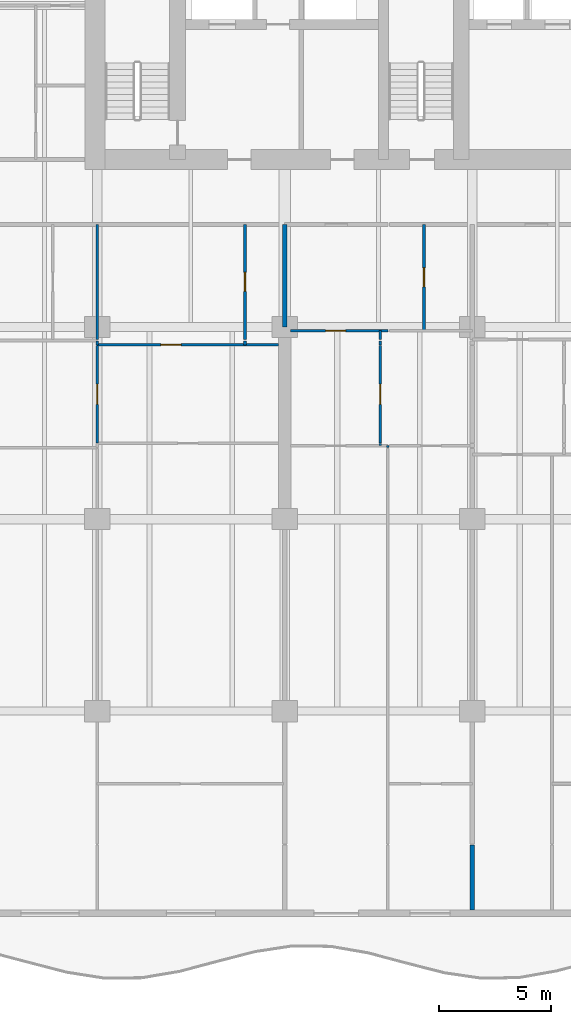
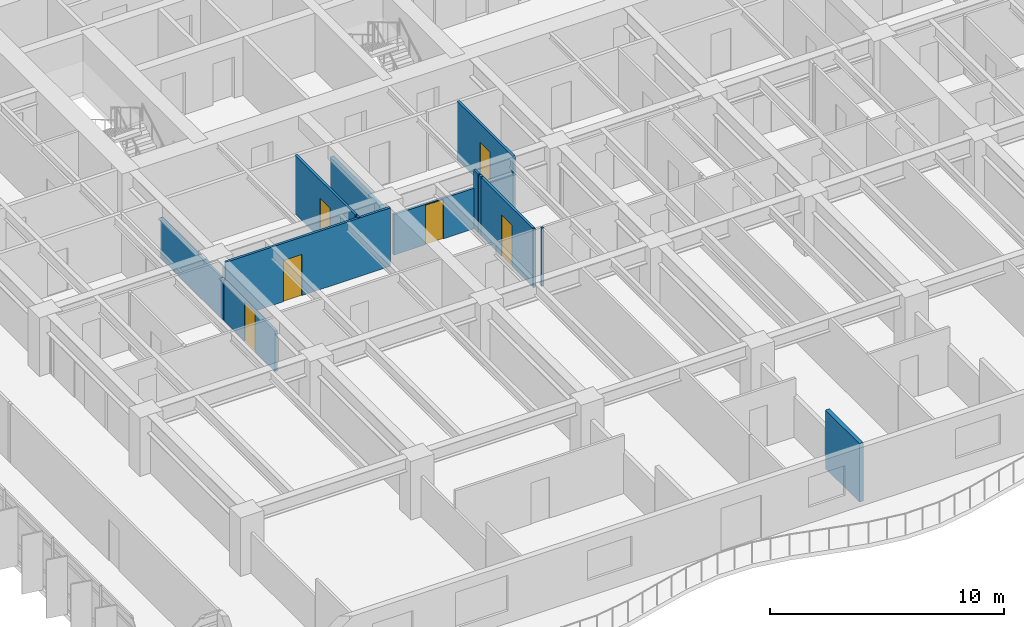
# One storey, part 7 of 18: 15 walls, 6 doors, 6 openings.
"""IFC4 building model written with IfcOpenShell, lengths in metres."""

import ifcopenshell
import ifcopenshell.guid

model = None  # the IFC model being written
_history = None  # IfcOwnerHistory: only IFC2X3 demands one
_inside = {}  # id of a spatial element -> (the spatial element, [elements in it])
_under = {}  # id of a project, library or spatial element -> (it, [spatial elements below it])
_declared = {}  # id of a project -> (the project, [libraries it declares])
_typed = {}  # id of a type object -> (the type object, [elements of that type])
_made_of = {}  # id of a material, layer set ... -> (it, [elements and type objects made of it])


def new_model(schema):
    """Start an empty IFC model of exactly this schema.

    Asked for "IFC4X3", IfcOpenShell would pick the latest addendum, in which some entities
    have other attributes; the version numbers below select the first issue.
    IFC2X3 requires an IfcOwnerHistory on every rooted entity: one is made here for all.
    """
    global model, _history
    if schema == "IFC4X3":
        model = ifcopenshell.file(schema_version=(4, 3, 0, 0))
    else:
        model = ifcopenshell.file(schema=schema)
    _inside.clear()
    _under.clear()
    _declared.clear()
    _typed.clear()
    _made_of.clear()
    _history = None
    if model.schema == "IFC2X3":
        org = make("IfcOrganization", Name="unknown")
        user = make(
            "IfcPersonAndOrganization",
            ThePerson=make("IfcPerson", FamilyName="unknown"),
            TheOrganization=org,
        )
        app = make(
            "IfcApplication",
            ApplicationDeveloper=org,
            Version="unknown",
            ApplicationFullName="unknown",
            ApplicationIdentifier="unknown",
        )
        _history = make(
            "IfcOwnerHistory",
            OwningUser=user,
            OwningApplication=app,
            ChangeAction="ADDED",
            CreationDate=0,
        )
    return model


def make(cls, **values):
    """One entity of the class cls with the attributes given. An attribute that is None is left unset."""
    return model.create_entity(
        cls, **{name: value for name, value in values.items() if value is not None}
    )


def rooted(cls, **values):
    """An entity with a GlobalId (a new one), such as an element, a storey or a relation."""
    return make(cls, GlobalId=ifcopenshell.guid.new(), OwnerHistory=_history, **values)


def si_unit(unit_type, name, prefix=None):
    """IfcSIUnit, for example si_unit("LENGTHUNIT", "METRE", prefix="MILLI")."""
    return make("IfcSIUnit", UnitType=unit_type, Prefix=prefix, Name=name)


def assignment(units):
    """IfcUnitAssignment: the units of a project."""
    return None if units is None else make("IfcUnitAssignment", Units=units)


def point(xyz):
    """IfcCartesianPoint."""
    return None if xyz is None else make("IfcCartesianPoint", Coordinates=xyz)


def direction(xyz):
    """IfcDirection."""
    return None if xyz is None else make("IfcDirection", DirectionRatios=xyz)


def frame(location, z_axis=None, x_axis=None):
    """IfcAxis2Placement3D, a coordinate frame: its origin and axes. An axis left out is left unset."""
    return make(
        "IfcAxis2Placement3D",
        Location=point(location),
        Axis=direction(z_axis),
        RefDirection=direction(x_axis),
    )


def frame_2d(location, x_axis=None):
    """IfcAxis2Placement2D, a coordinate frame in the plane: its origin and x axis."""
    return make(
        "IfcAxis2Placement2D", Location=point(location), RefDirection=direction(x_axis)
    )


def origin():
    """The frame at (0, 0, 0) with its axes left unset."""
    return frame((0.0, 0.0, 0.0))


def place(relative_to, where):
    """IfcLocalPlacement: puts the frame where relative to a parent placement (None: the world)."""
    return make(
        "IfcLocalPlacement", PlacementRelTo=relative_to, RelativePlacement=where
    )


def context(
    kind, dimensions, precision=None, world=None, true_north=None, identifier=None
):
    """IfcGeometricRepresentationContext, for example the 3D "Model" context."""
    return make(
        "IfcGeometricRepresentationContext",
        ContextIdentifier=identifier,
        ContextType=kind,
        CoordinateSpaceDimension=dimensions,
        Precision=precision,
        WorldCoordinateSystem=world,
        TrueNorth=true_north,
    )


def subcontext(parent, identifier, kind, view, scale=None):
    """IfcGeometricRepresentationSubContext, for example "Body" below "Model"."""
    return make(
        "IfcGeometricRepresentationSubContext",
        ContextIdentifier=identifier,
        ContextType=kind,
        ParentContext=parent,
        TargetScale=scale,
        TargetView=view,
    )


def project(units=None, contexts=None):
    """IfcProject with its units and contexts."""
    return rooted(
        "IfcProject",
        Name="project",
        RepresentationContexts=contexts,
        UnitsInContext=assignment(units),
    )


def spatial(cls, under=None, at=None, **own):
    """A site, building, storey or space (cls), placed at a placement, below another one or the project."""
    s = rooted(cls, ObjectPlacement=at, **own)
    if under is not None:
        _under.setdefault(under.id(), (under, []))[1].append(s)
    return s


def profile(cls, at=None, kind="AREA", **sizes):
    """A parametric profile (cls). Its sizes go by their IFC names, for example OverallWidth=200.0."""
    return make(cls, ProfileType=kind, Position=at, **sizes)


def rectangle(**sizes):
    """IfcRectangleProfileDef."""
    return profile("IfcRectangleProfileDef", **sizes)


def extrude(swept, where, along, depth):
    """IfcExtrudedAreaSolid: the profile swept, set in the frame where, extruded along a direction by depth."""
    return make(
        "IfcExtrudedAreaSolid",
        SweptArea=swept,
        Position=where,
        ExtrudedDirection=direction(along),
        Depth=depth,
    )


def shape(context_of_items, identifier, shape_type, items):
    """IfcShapeRepresentation: the items that make up one representation, for example the "Body"."""
    return make(
        "IfcShapeRepresentation",
        ContextOfItems=context_of_items,
        RepresentationIdentifier=identifier,
        RepresentationType=shape_type,
        Items=items,
    )


def material(Name=None, Category=None):
    """IfcMaterial."""
    return make("IfcMaterial", Name=Name, Category=Category)


def layer(
    of_material, thickness, ventilated=None, Name=None, Category=None, Priority=None
):
    """IfcMaterialLayer: one layer of a wall or slab, of a material (None: an air gap)."""
    return make(
        "IfcMaterialLayer",
        Material=of_material,
        LayerThickness=thickness,
        IsVentilated=ventilated,
        Name=Name,
        Category=Category,
        Priority=Priority,
    )


def layer_set(layers, Name=None):
    """IfcMaterialLayerSet."""
    return make("IfcMaterialLayerSet", MaterialLayers=layers, LayerSetName=Name)


def made_of(thing, what):
    """Note that an element or type object is made of a material, layer set ...; save() writes the relation."""
    if what is not None:
        _made_of.setdefault(what.id(), (what, []))[1].append(thing)
    return thing


def type_object(cls, material=None, **own):
    """A type object (cls), such as IfcWallType, which elements share."""
    return made_of(rooted(cls, **own), material)


def element(
    cls,
    number,
    at=None,
    inside=None,
    cuts=None,
    type_object=None,
    material=None,
    context=None,
    identifier="Body",
    shape_type=None,
    held_by="IfcProductDefinitionShape",
    body=None,
    shapes=None,
    **own,
):
    """One element of the class cls, such as IfcWall. Its Tag is "e" and its number.

    at: its placement. inside: the storey or other place that contains it. cuts: it is an
    opening in that element (IfcRelVoidsElement). A single representation is given by context,
    identifier, shape_type and body (its items); several are given by shapes. held_by: the class
    of the entity that holds the representations. save() writes the other relations.
    """
    e = rooted(cls, Tag="e%d" % number, ObjectPlacement=at, **own)
    if body is not None:
        shapes = [shape(context, identifier, shape_type, body)]
    if shapes is not None:
        e.Representation = make(held_by, Representations=shapes)
    if inside is not None:
        _inside.setdefault(inside.id(), (inside, []))[1].append(e)
    if cuts is not None:
        rooted(
            "IfcRelVoidsElement", RelatingBuildingElement=cuts, RelatedOpeningElement=e
        )
    if type_object is not None:
        _typed.setdefault(type_object.id(), (type_object, []))[1].append(e)
    return made_of(e, material)


def fill(opening, filler):
    """IfcRelFillsElement: the door or window that sits in an opening."""
    return rooted(
        "IfcRelFillsElement",
        RelatingOpeningElement=opening,
        RelatedBuildingElement=filler,
    )


def aggregate(whole, parts):
    """IfcRelAggregates: a whole, such as a stair, and the parts it consists of."""
    return rooted("IfcRelAggregates", RelatingObject=whole, RelatedObjects=parts)


def save(model, path):
    """Write the relations noted so far, then the file.

    IfcRelAggregates (storeys below a building ...), IfcRelContainedInSpatialStructure (elements
    in a storey), IfcRelDefinesByType, IfcRelAssociatesMaterial and IfcRelDeclares: one each for
    every whole, place, type object, material and project.
    """
    for whole, parts in _under.values():
        aggregate(whole, parts)
    for where, things in _inside.values():
        rooted(
            "IfcRelContainedInSpatialStructure",
            RelatedElements=things,
            RelatingStructure=where,
        )
    for kind, things in _typed.values():
        rooted("IfcRelDefinesByType", RelatedObjects=things, RelatingType=kind)
    for what, things in _made_of.values():
        rooted("IfcRelAssociatesMaterial", RelatedObjects=things, RelatingMaterial=what)
    for by, libraries in _declared.values():
        rooted("IfcRelDeclares", RelatingContext=by, RelatedDefinitions=libraries)
    model.write(path)


model = new_model("IFC4")

# Units and contexts
model_context = context("Model", 3, precision=1e-05, world=origin(), true_north=direction((0.0, 1.0)))
body_context = subcontext(model_context, "Body", "Model", "MODEL_VIEW")
ifc_project = project(units=[si_unit("LENGTHUNIT", "METRE"), si_unit("AREAUNIT", "SQUARE_METRE"), si_unit("VOLUMEUNIT", "CUBIC_METRE"), si_unit("PLANEANGLEUNIT", "RADIAN"), si_unit("MASSUNIT", "GRAM", prefix="KILO")], contexts=[model_context])

# Site, building, storey
site_placement = place(None, origin())
site = spatial("IfcSite", under=ifc_project, at=site_placement, CompositionType="ELEMENT")
building_placement = place(site_placement, origin())
building = spatial("IfcBuilding", under=site, at=building_placement, Name="Caelmar Bay Residences", CompositionType="ELEMENT")
storey_placement = place(building_placement, frame((0.0, 0.0, 43.199951171875)))
storey = spatial("IfcBuildingStorey", under=building, at=storey_placement, Name="L10", CompositionType="ELEMENT", Elevation=43.199951171875)

# Wall, opening, door
ifc_material_1 = material(Name="Acoustic metal-stud gypsum partition 120 mm")
ifc_layer_1 = layer(ifc_material_1, 0.1201171875)
ifc_layer_set_1 = layer_set([ifc_layer_1], Name="Acoustic metal-stud gypsum partition 120 mm")
wall_type_1 = type_object("IfcWallType", Name="W-PRT-120", PredefinedType="PARTITIONING", material=ifc_layer_set_1)
wall_1_placement = place(storey_placement, frame((18.300048828125, 24.199951171875, 0.0), z_axis=(0.0, 0.0, 1.0), x_axis=(0.0, 1.0, 0.0)))
wall_1 = element("IfcWall", 1, at=wall_1_placement, inside=storey, type_object=wall_type_1, Name="L10 Partition Wall V023", PredefinedType="PARTITIONING", context=body_context, shape_type="SweptSolid", body=[
    extrude(rectangle(XDim=4.380126953125, YDim=0.1201171875, at=frame_2d((2.18994140625, 0.0))), origin(), (0.0, 0.0, 1.0), 2.110107421875),
])
opening_1_placement = place(wall_1_placement, frame((1.739990234375, 0.0, 0.0)))
opening_1 = element("IfcOpeningElement", 2, at=opening_1_placement, cuts=wall_1, Name="Opening D-L10-128", PredefinedType="OPENING", context=body_context, shape_type="SweptSolid", body=[
    extrude(rectangle(XDim=0.89990234375, YDim=2.06005859375, at=frame_2d((0.449951171875, 1.030029296875))), frame((0.0, 0.070068359375, 0.0), z_axis=(0.0, -1.0, 0.0), x_axis=(1.0, 0.0, 0.0)), (0.0, 0.0, 1.0), 0.14013671875),
])
ifc_material_2 = material(Name="Solid walnut timber interior door leaf and frame", Category="wood")
ifc_layer_2 = layer(ifc_material_2, 0.050048828125)
ifc_layer_set_2 = layer_set([ifc_layer_2], Name="Solid walnut timber interior door leaf and frame")
door_type_1 = type_object("IfcDoorType", Name="D-ROOM-900", OperationType="NOTDEFINED", PredefinedType="DOOR", material=ifc_layer_set_2)
door_1_placement = place(opening_1_placement, origin())
door_1 = element("IfcDoor", 3, at=door_1_placement, inside=storey, type_object=door_type_1, Name="L10 Residence 01 Library Study 1 Door", OperationType="SINGLE_SWING_LEFT", OverallHeight=2.06005859375, OverallWidth=0.89990234375, PredefinedType="DOOR", context=body_context, shape_type="SweptSolid", body=[
    extrude(rectangle(XDim=0.89990234375, YDim=2.06005859375, at=frame_2d((0.449951171875, 1.030029296875))), frame((0.0, 0.02490234375, 0.0), z_axis=(0.0, -1.0, 0.0), x_axis=(1.0, 0.0, 0.0)), (0.0, 0.0, 1.0), 0.050048828125),
])
fill(opening_1, door_1)

# Walls
wall_2_placement = place(storey_placement, frame((18.300048828125, 28.60009765625, 0.0), z_axis=(0.0, 0.0, 1.0), x_axis=(0.0, 1.0, 0.0)))
element("IfcWall", 4, at=wall_2_placement, inside=storey, type_object=wall_type_1, Name="L10 Partition Wall V024", PredefinedType="PARTITIONING", context=body_context, shape_type="SweptSolid", body=[
    extrude(rectangle(XDim=0.179931640625, YDim=0.1201171875, at=frame_2d((0.08984375, 0.0))), origin(), (0.0, 0.0, 1.0), 2.110107421875),
])
wall_3_placement = place(storey_placement, frame((18.300048828125, 28.840087890625, 0.0), z_axis=(0.0, 0.0, 1.0), x_axis=(0.0, 1.0, 0.0)))
element("IfcWall", 5, at=wall_3_placement, inside=storey, type_object=wall_type_1, Name="L10 Partition Wall V025", PredefinedType="PARTITIONING", context=body_context, shape_type="SweptSolid", body=[
    extrude(rectangle(XDim=5.159912109375, YDim=0.1201171875, at=frame_2d((2.580078125, 0.0))), origin(), (0.0, 0.0, 1.0), 2.110107421875),
])
wall_4_placement = place(storey_placement, frame((24.922119140625, 28.60009765625, 0.0), z_axis=(0.0, 0.0, 1.0), x_axis=(0.0, 1.0, 0.0)))
element("IfcWall", 6, at=wall_4_placement, inside=storey, type_object=wall_type_1, Name="L10 Partition Wall V027", PredefinedType="PARTITIONING", context=body_context, shape_type="SweptSolid", body=[
    extrude(rectangle(XDim=0.179931640625, YDim=0.1201171875, at=frame_2d((0.08984375, 0.0))), origin(), (0.0, 0.0, 1.0), 3.050048828125),
])

# Wall, opening, door
wall_5_placement = place(storey_placement, frame((24.922119140625, 28.840087890625, 0.0), z_axis=(0.0, 0.0, 1.0), x_axis=(0.0, 1.0, 0.0)))
wall_5 = element("IfcWall", 7, at=wall_5_placement, inside=storey, type_object=wall_type_1, Name="L10 Partition Wall V028", PredefinedType="PARTITIONING", context=body_context, shape_type="SweptSolid", body=[
    extrude(rectangle(XDim=5.159912109375, YDim=0.1201171875, at=frame_2d((2.580078125, 0.0))), origin(), (0.0, 0.0, 1.0), 3.050048828125),
])
opening_2_placement = place(wall_5_placement, frame((2.155029296875, 0.0, 0.0)))
opening_2 = element("IfcOpeningElement", 8, at=opening_2_placement, cuts=wall_5, Name="Opening D-L10-130", PredefinedType="OPENING", context=body_context, shape_type="SweptSolid", body=[
    extrude(rectangle(XDim=0.85009765625, YDim=2.10009765625, at=frame_2d((0.425048828125, 1.050048828125))), frame((0.0, 0.070068359375, 0.0), z_axis=(0.0, -1.0, 0.0), x_axis=(1.0, 0.0, 0.0)), (0.0, 0.0, 1.0), 0.14013671875),
])
ifc_layer_3 = layer(ifc_material_2, 0.050048828125)
ifc_layer_set_3 = layer_set([ifc_layer_3], Name="Solid walnut timber interior door leaf and frame")
door_type_2 = type_object("IfcDoorType", Name="D-BATH-850", OperationType="NOTDEFINED", PredefinedType="DOOR", material=ifc_layer_set_3)
door_2_placement = place(opening_2_placement, origin())
door_2 = element("IfcDoor", 9, at=door_2_placement, inside=storey, type_object=door_type_2, Name="L10 Residence 01 En-Suite Bathroom 1 Door", OperationType="SINGLE_SWING_LEFT", OverallHeight=2.10009765625, OverallWidth=0.85009765625, PredefinedType="DOOR", context=body_context, shape_type="SweptSolid", body=[
    extrude(rectangle(XDim=0.85009765625, YDim=2.10009765625, at=frame_2d((0.425048828125, 1.050048828125))), frame((0.0, 0.02490234375, 0.0), z_axis=(0.0, -1.0, 0.0), x_axis=(1.0, 0.0, 0.0)), (0.0, 0.0, 1.0), 0.050048828125),
])
fill(opening_2, door_2)

# Wall
wall_6_placement = place(storey_placement, frame((30.986083984375, 24.090087890625, 0.0), z_axis=(0.0, 0.0, 1.0), x_axis=(0.0, 1.0, 0.0)))
element("IfcWall", 10, at=wall_6_placement, inside=storey, type_object=wall_type_1, Name="L10 Partition Wall V036", PredefinedType="PARTITIONING", context=body_context, shape_type="SweptSolid", body=[
    extrude(rectangle(XDim=0.08984375, YDim=0.1201171875, at=frame_2d((0.044921875, 0.0))), origin(), (0.0, 0.0, 1.0), 3.050048828125),
])

# Wall, opening, door
wall_7_placement = place(storey_placement, frame((30.986083984375, 24.199951171875, 0.0), z_axis=(0.0, 0.0, 1.0), x_axis=(0.0, 1.0, 0.0)))
wall_7 = element("IfcWall", 11, at=wall_7_placement, inside=storey, type_object=wall_type_1, Name="L10 Partition Wall V037", PredefinedType="PARTITIONING", context=body_context, shape_type="SweptSolid", body=[
    extrude(rectangle(XDim=4.380126953125, YDim=0.1201171875, at=frame_2d((2.18994140625, 0.0))), origin(), (0.0, 0.0, 1.0), 3.050048828125),
])
opening_3_placement = place(wall_7_placement, frame((1.739990234375, 0.0, 0.0)))
opening_3 = element("IfcOpeningElement", 12, at=opening_3_placement, cuts=wall_7, Name="Opening D-L10-137", PredefinedType="OPENING", context=body_context, shape_type="SweptSolid", body=[
    extrude(rectangle(XDim=0.89990234375, YDim=2.14990234375, at=frame_2d((0.449951171875, 1.074951171875))), frame((0.0, 0.070068359375, 0.0), z_axis=(0.0, -1.0, 0.0), x_axis=(1.0, 0.0, 0.0)), (0.0, 0.0, 1.0), 0.14013671875),
])
door_3_placement = place(opening_3_placement, origin())
door_3 = element("IfcDoor", 13, at=door_3_placement, inside=storey, type_object=door_type_1, Name="L10 Residence 02 Home Office Door", OperationType="SINGLE_SWING_RIGHT", OverallHeight=2.14990234375, OverallWidth=0.89990234375, PredefinedType="DOOR", context=body_context, shape_type="SweptSolid", body=[
    extrude(rectangle(XDim=0.89990234375, YDim=2.14990234375, at=frame_2d((0.449951171875, 1.074951171875))), frame((0.0, 0.02490234375, 0.0), z_axis=(0.0, -1.0, 0.0), x_axis=(1.0, 0.0, 0.0)), (0.0, 0.0, 1.0), 0.050048828125),
])
fill(opening_3, door_3)

# Walls
wall_8_placement = place(storey_placement, frame((30.986083984375, 28.60009765625, 0.0), z_axis=(0.0, 0.0, 1.0), x_axis=(0.0, 1.0, 0.0)))
element("IfcWall", 14, at=wall_8_placement, inside=storey, type_object=wall_type_1, Name="L10 Partition Wall V038", PredefinedType="PARTITIONING", context=body_context, shape_type="SweptSolid", body=[
    extrude(rectangle(XDim=0.179931640625, YDim=0.1201171875, at=frame_2d((0.08984375, 0.0))), origin(), (0.0, 0.0, 1.0), 3.050048828125),
])
wall_9_placement = place(storey_placement, frame((30.986083984375, 28.840087890625, 0.0), z_axis=(0.0, 0.0, 1.0), x_axis=(0.0, 1.0, 0.0)))
element("IfcWall", 15, at=wall_9_placement, inside=storey, type_object=wall_type_1, Name="L10 Partition Wall V039", PredefinedType="PARTITIONING", context=body_context, shape_type="SweptSolid", body=[
    extrude(rectangle(XDim=0.39990234375, YDim=0.1201171875, at=frame_2d((0.199951171875, 0.0))), origin(), (0.0, 0.0, 1.0), 3.050048828125),
])
wall_10_placement = place(storey_placement, frame((31.320068359375, 24.0, 0.0), z_axis=(0.0, 0.0, 1.0), x_axis=(0.0, 1.0, 0.0)))
element("IfcWall", 16, at=wall_10_placement, inside=storey, type_object=wall_type_1, Name="L10 Partition Wall V042", PredefinedType="PARTITIONING", context=body_context, shape_type="SweptSolid", body=[
    extrude(rectangle(XDim=0.090087890625, YDim=0.1201171875, at=frame_2d((0.044921875, 0.0))), origin(), (0.0, 0.0, 1.0), 3.050048828125),
])

# Wall, opening, door
wall_11_placement = place(storey_placement, frame((32.93603515625, 29.239990234375, 0.0), z_axis=(0.0, 0.0, 1.0), x_axis=(0.0, 1.0, 0.0)))
wall_11 = element("IfcWall", 17, at=wall_11_placement, inside=storey, type_object=wall_type_1, Name="L10 Partition Wall V044", PredefinedType="PARTITIONING", context=body_context, shape_type="SweptSolid", body=[
    extrude(rectangle(XDim=4.760009765625, YDim=0.1201171875, at=frame_2d((2.3798828125, 0.0))), origin(), (0.0, 0.0, 1.0), 3.050048828125),
])
opening_4_placement = place(wall_11_placement, frame((1.955078125, 0.0, 0.0)))
opening_4 = element("IfcOpeningElement", 18, at=opening_4_placement, cuts=wall_11, Name="Opening D-L10-135", PredefinedType="OPENING", context=body_context, shape_type="SweptSolid", body=[
    extrude(rectangle(XDim=0.85009765625, YDim=2.10009765625, at=frame_2d((0.425048828125, 1.050048828125))), frame((0.0, 0.070068359375, 0.0), z_axis=(0.0, -1.0, 0.0), x_axis=(1.0, 0.0, 0.0)), (0.0, 0.0, 1.0), 0.14013671875),
])
door_4_placement = place(opening_4_placement, origin())
door_4 = element("IfcDoor", 19, at=door_4_placement, inside=storey, type_object=door_type_2, Name="L10 Residence 02 Bathroom Door", OperationType="SINGLE_SWING_RIGHT", OverallHeight=2.10009765625, OverallWidth=0.85009765625, PredefinedType="DOOR", context=body_context, shape_type="SweptSolid", body=[
    extrude(rectangle(XDim=0.85009765625, YDim=2.10009765625, at=frame_2d((0.425048828125, 1.050048828125))), frame((0.0, 0.02490234375, 0.0), z_axis=(0.0, -1.0, 0.0), x_axis=(1.0, 0.0, 0.0)), (0.0, 0.0, 1.0), 0.050048828125),
])
fill(opening_4, door_4)

wall_12_placement = place(storey_placement, frame((18.300048828125, 28.60009765625, 0.0), z_axis=(0.0, 0.0, 1.0), x_axis=(1.0, 0.0, 0.0)))
wall_12 = element("IfcWall", 20, at=wall_12_placement, inside=storey, type_object=wall_type_1, Name="L10 Partition Wall H127", PredefinedType="PARTITIONING", context=body_context, shape_type="SweptSolid", body=[
    extrude(rectangle(XDim=8.1298828125, YDim=0.1201171875, at=frame_2d((4.06494140625, 0.0))), origin(), (0.0, 0.0, 1.0), 3.050048828125),
])
opening_5_placement = place(wall_12_placement, frame((2.861083984375, 0.0, 0.0)))
opening_5 = element("IfcOpeningElement", 21, at=opening_5_placement, cuts=wall_12, Name="Opening D-L10-129", PredefinedType="OPENING", context=body_context, shape_type="SweptSolid", body=[
    extrude(rectangle(XDim=0.89990234375, YDim=2.14990234375, at=frame_2d((0.449951171875, 1.074951171875))), frame((0.0, 0.070068359375, 0.0), z_axis=(0.0, -1.0, 0.0), x_axis=(1.0, 0.0, 0.0)), (0.0, 0.0, 1.0), 0.14013671875),
])
door_5_placement = place(opening_5_placement, origin())
door_5 = element("IfcDoor", 22, at=door_5_placement, inside=storey, type_object=door_type_1, Name="L10 Residence 01 Home Office 1 Door", OperationType="SINGLE_SWING_RIGHT", OverallHeight=2.14990234375, OverallWidth=0.89990234375, PredefinedType="DOOR", context=body_context, shape_type="SweptSolid", body=[
    extrude(rectangle(XDim=0.89990234375, YDim=2.14990234375, at=frame_2d((0.449951171875, 1.074951171875))), frame((0.0, 0.02490234375, 0.0), z_axis=(0.0, -1.0, 0.0), x_axis=(1.0, 0.0, 0.0)), (0.0, 0.0, 1.0), 0.050048828125),
])
fill(opening_5, door_5)

wall_13_placement = place(storey_placement, frame((26.969970703125, 29.239990234375, 0.0), z_axis=(0.0, 0.0, 1.0), x_axis=(1.0, 0.0, 0.0)))
wall_13 = element("IfcWall", 23, at=wall_13_placement, inside=storey, type_object=wall_type_1, Name="L10 Partition Wall H132", PredefinedType="PARTITIONING", context=body_context, shape_type="SweptSolid", body=[
    extrude(rectangle(XDim=4.35009765625, YDim=0.1201171875, at=frame_2d((2.175048828125, 0.0))), origin(), (0.0, 0.0, 1.0), 2.110107421875),
])
opening_6_placement = place(wall_13_placement, frame((1.55810546875, 0.0, 0.0)))
opening_6 = element("IfcOpeningElement", 24, at=opening_6_placement, cuts=wall_13, Name="Opening D-L10-136", PredefinedType="OPENING", context=body_context, shape_type="SweptSolid", body=[
    extrude(rectangle(XDim=0.89990234375, YDim=2.06005859375, at=frame_2d((0.449951171875, 1.030029296875))), frame((0.0, 0.070068359375, 0.0), z_axis=(0.0, -1.0, 0.0), x_axis=(1.0, 0.0, 0.0)), (0.0, 0.0, 1.0), 0.14013671875),
])
door_6_placement = place(opening_6_placement, origin())
door_6 = element("IfcDoor", 25, at=door_6_placement, inside=storey, type_object=door_type_1, Name="L10 Residence 02 Kitchen Door", OperationType="SINGLE_SWING_LEFT", OverallHeight=2.06005859375, OverallWidth=0.89990234375, PredefinedType="DOOR", context=body_context, shape_type="SweptSolid", body=[
    extrude(rectangle(XDim=0.89990234375, YDim=2.06005859375, at=frame_2d((0.449951171875, 1.030029296875))), frame((0.0, 0.02490234375, 0.0), z_axis=(0.0, -1.0, 0.0), x_axis=(1.0, 0.0, 0.0)), (0.0, 0.0, 1.0), 0.050048828125),
])
fill(opening_6, door_6)

# Walls
ifc_material_3 = material(Name="Acoustic twin-stud fire-rated inter-tenancy partition 200 mm")
ifc_layer_4 = layer(ifc_material_3, 0.199951171875)
ifc_layer_set_4 = layer_set([ifc_layer_4], Name="Acoustic twin-stud fire-rated inter-tenancy partition 200 mm")
wall_type_2 = type_object("IfcWallType", Name="W-PTY-200", PredefinedType="PARTITIONING", material=ifc_layer_set_4)
wall_14_placement = place(storey_placement, frame((26.699951171875, 29.405029296875, 0.0), z_axis=(0.0, 0.0, 1.0), x_axis=(0.0, 1.0, 0.0)))
element("IfcWall", 26, at=wall_14_placement, inside=storey, type_object=wall_type_2, Name="L10 Partition Wall V033", PredefinedType="PARTITIONING", context=body_context, shape_type="SweptSolid", body=[
    extrude(rectangle(XDim=4.594970703125, YDim=0.199951171875, at=frame_2d((2.29736328125, 0.0))), origin(), (0.0, 0.0, 1.0), 2.3349609375),
])
wall_15_placement = place(storey_placement, frame((35.10009765625, 3.294921875, 0.0), z_axis=(0.0, 0.0, 1.0), x_axis=(0.0, 1.0, 0.0)))
element("IfcWall", 27, at=wall_15_placement, inside=storey, type_object=wall_type_2, Name="L10 Partition Wall V045", PredefinedType="PARTITIONING", context=body_context, shape_type="SweptSolid", body=[
    extrude(rectangle(XDim=2.905029296875, YDim=0.199951171875, at=frame_2d((1.45263671875, 0.0))), origin(), (0.0, 0.0, 1.0), 3.050048828125),
])

save(model, "model.ifc")
